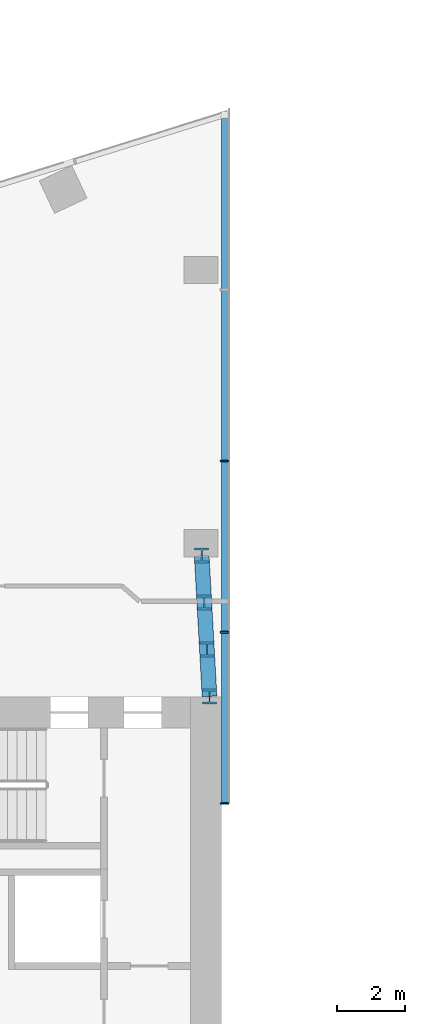
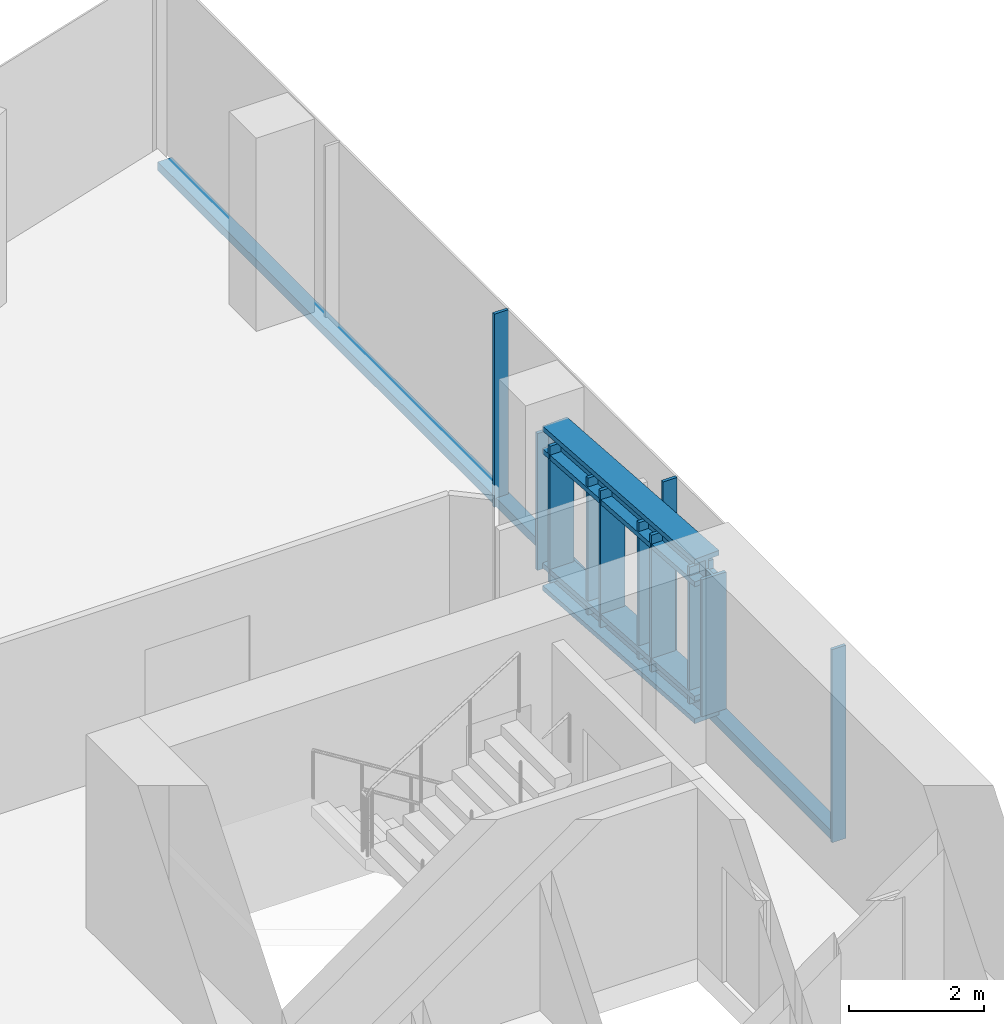
# One storey, part 6 of 23: 10 members, 1 element without a shape of its own.
"""IFC4 building model written with IfcOpenShell, lengths in metres."""

import ifcopenshell
import ifcopenshell.guid

model = None  # the IFC model being written
_history = None  # IfcOwnerHistory: only IFC2X3 demands one
_inside = {}  # id of a spatial element -> (the spatial element, [elements in it])
_under = {}  # id of a project, library or spatial element -> (it, [spatial elements below it])
_declared = {}  # id of a project -> (the project, [libraries it declares])
_typed = {}  # id of a type object -> (the type object, [elements of that type])
_made_of = {}  # id of a material, layer set ... -> (it, [elements and type objects made of it])


def new_model(schema):
    """Start an empty IFC model of exactly this schema.

    Asked for "IFC4X3", IfcOpenShell would pick the latest addendum, in which some entities
    have other attributes; the version numbers below select the first issue.
    IFC2X3 requires an IfcOwnerHistory on every rooted entity: one is made here for all.
    """
    global model, _history
    if schema == "IFC4X3":
        model = ifcopenshell.file(schema_version=(4, 3, 0, 0))
    else:
        model = ifcopenshell.file(schema=schema)
    _inside.clear()
    _under.clear()
    _declared.clear()
    _typed.clear()
    _made_of.clear()
    _history = None
    if model.schema == "IFC2X3":
        org = make("IfcOrganization", Name="unknown")
        user = make(
            "IfcPersonAndOrganization",
            ThePerson=make("IfcPerson", FamilyName="unknown"),
            TheOrganization=org,
        )
        app = make(
            "IfcApplication",
            ApplicationDeveloper=org,
            Version="unknown",
            ApplicationFullName="unknown",
            ApplicationIdentifier="unknown",
        )
        _history = make(
            "IfcOwnerHistory",
            OwningUser=user,
            OwningApplication=app,
            ChangeAction="ADDED",
            CreationDate=0,
        )
    return model


def make(cls, **values):
    """One entity of the class cls with the attributes given. An attribute that is None is left unset."""
    return model.create_entity(
        cls, **{name: value for name, value in values.items() if value is not None}
    )


def rooted(cls, **values):
    """An entity with a GlobalId (a new one), such as an element, a storey or a relation."""
    return make(cls, GlobalId=ifcopenshell.guid.new(), OwnerHistory=_history, **values)


def si_unit(unit_type, name, prefix=None):
    """IfcSIUnit, for example si_unit("LENGTHUNIT", "METRE", prefix="MILLI")."""
    return make("IfcSIUnit", UnitType=unit_type, Prefix=prefix, Name=name)


def assignment(units):
    """IfcUnitAssignment: the units of a project."""
    return None if units is None else make("IfcUnitAssignment", Units=units)


def point(xyz):
    """IfcCartesianPoint."""
    return None if xyz is None else make("IfcCartesianPoint", Coordinates=xyz)


def direction(xyz):
    """IfcDirection."""
    return None if xyz is None else make("IfcDirection", DirectionRatios=xyz)


def frame(location, z_axis=None, x_axis=None):
    """IfcAxis2Placement3D, a coordinate frame: its origin and axes. An axis left out is left unset."""
    return make(
        "IfcAxis2Placement3D",
        Location=point(location),
        Axis=direction(z_axis),
        RefDirection=direction(x_axis),
    )


def frame_2d(location, x_axis=None):
    """IfcAxis2Placement2D, a coordinate frame in the plane: its origin and x axis."""
    return make(
        "IfcAxis2Placement2D", Location=point(location), RefDirection=direction(x_axis)
    )


def origin():
    """The frame at (0, 0, 0) with its axes left unset."""
    return frame((0.0, 0.0, 0.0))


def origin_2d():
    """The frame at (0, 0) in the plane with its x axis left unset."""
    return frame_2d((0.0, 0.0))


def place(relative_to, where):
    """IfcLocalPlacement: puts the frame where relative to a parent placement (None: the world)."""
    return make(
        "IfcLocalPlacement", PlacementRelTo=relative_to, RelativePlacement=where
    )


def context(
    kind, dimensions, precision=None, world=None, true_north=None, identifier=None
):
    """IfcGeometricRepresentationContext, for example the 3D "Model" context."""
    return make(
        "IfcGeometricRepresentationContext",
        ContextIdentifier=identifier,
        ContextType=kind,
        CoordinateSpaceDimension=dimensions,
        Precision=precision,
        WorldCoordinateSystem=world,
        TrueNorth=true_north,
    )


def subcontext(parent, identifier, kind, view, scale=None):
    """IfcGeometricRepresentationSubContext, for example "Body" below "Model"."""
    return make(
        "IfcGeometricRepresentationSubContext",
        ContextIdentifier=identifier,
        ContextType=kind,
        ParentContext=parent,
        TargetScale=scale,
        TargetView=view,
    )


def project(units=None, contexts=None):
    """IfcProject with its units and contexts."""
    return rooted(
        "IfcProject",
        Name="project",
        RepresentationContexts=contexts,
        UnitsInContext=assignment(units),
    )


def spatial(cls, under=None, at=None, **own):
    """A site, building, storey or space (cls), placed at a placement, below another one or the project."""
    s = rooted(cls, ObjectPlacement=at, **own)
    if under is not None:
        _under.setdefault(under.id(), (under, []))[1].append(s)
    return s


def profile(cls, at=None, kind="AREA", **sizes):
    """A parametric profile (cls). Its sizes go by their IFC names, for example OverallWidth=200.0."""
    return make(cls, ProfileType=kind, Position=at, **sizes)


def rectangle(**sizes):
    """IfcRectangleProfileDef."""
    return profile("IfcRectangleProfileDef", **sizes)


def i_section(**sizes):
    """IfcIShapeProfileDef."""
    return profile("IfcIShapeProfileDef", **sizes)


def extrude(swept, where, along, depth):
    """IfcExtrudedAreaSolid: the profile swept, set in the frame where, extruded along a direction by depth."""
    return make(
        "IfcExtrudedAreaSolid",
        SweptArea=swept,
        Position=where,
        ExtrudedDirection=direction(along),
        Depth=depth,
    )


def shape(context_of_items, identifier, shape_type, items):
    """IfcShapeRepresentation: the items that make up one representation, for example the "Body"."""
    return make(
        "IfcShapeRepresentation",
        ContextOfItems=context_of_items,
        RepresentationIdentifier=identifier,
        RepresentationType=shape_type,
        Items=items,
    )


def material(Name=None, Category=None):
    """IfcMaterial."""
    return make("IfcMaterial", Name=Name, Category=Category)


def material_profile(
    of_material, cross_section, Name=None, Category=None, Priority=None
):
    """IfcMaterialProfile: a cross section and its material."""
    return make(
        "IfcMaterialProfile",
        Name=Name,
        Material=of_material,
        Profile=cross_section,
        Priority=Priority,
        Category=Category,
    )


def profile_set(profiles, Name=None, composite=None):
    """IfcMaterialProfileSet."""
    return make(
        "IfcMaterialProfileSet",
        Name=Name,
        MaterialProfiles=profiles,
        CompositeProfile=composite,
    )


def made_of(thing, what):
    """Note that an element or type object is made of a material, layer set ...; save() writes the relation."""
    if what is not None:
        _made_of.setdefault(what.id(), (what, []))[1].append(thing)
    return thing


def type_object(cls, material=None, **own):
    """A type object (cls), such as IfcWallType, which elements share."""
    return made_of(rooted(cls, **own), material)


def element(
    cls,
    number,
    at=None,
    inside=None,
    cuts=None,
    type_object=None,
    material=None,
    context=None,
    identifier="Body",
    shape_type=None,
    held_by="IfcProductDefinitionShape",
    body=None,
    shapes=None,
    **own,
):
    """One element of the class cls, such as IfcWall. Its Tag is "e" and its number.

    at: its placement. inside: the storey or other place that contains it. cuts: it is an
    opening in that element (IfcRelVoidsElement). A single representation is given by context,
    identifier, shape_type and body (its items); several are given by shapes. held_by: the class
    of the entity that holds the representations. save() writes the other relations.
    """
    e = rooted(cls, Tag="e%d" % number, ObjectPlacement=at, **own)
    if body is not None:
        shapes = [shape(context, identifier, shape_type, body)]
    if shapes is not None:
        e.Representation = make(held_by, Representations=shapes)
    if inside is not None:
        _inside.setdefault(inside.id(), (inside, []))[1].append(e)
    if cuts is not None:
        rooted(
            "IfcRelVoidsElement", RelatingBuildingElement=cuts, RelatedOpeningElement=e
        )
    if type_object is not None:
        _typed.setdefault(type_object.id(), (type_object, []))[1].append(e)
    return made_of(e, material)


def aggregate(whole, parts):
    """IfcRelAggregates: a whole, such as a stair, and the parts it consists of."""
    return rooted("IfcRelAggregates", RelatingObject=whole, RelatedObjects=parts)


def save(model, path):
    """Write the relations noted so far, then the file.

    IfcRelAggregates (storeys below a building ...), IfcRelContainedInSpatialStructure (elements
    in a storey), IfcRelDefinesByType, IfcRelAssociatesMaterial and IfcRelDeclares: one each for
    every whole, place, type object, material and project.
    """
    for whole, parts in _under.values():
        aggregate(whole, parts)
    for where, things in _inside.values():
        rooted(
            "IfcRelContainedInSpatialStructure",
            RelatedElements=things,
            RelatingStructure=where,
        )
    for kind, things in _typed.values():
        rooted("IfcRelDefinesByType", RelatedObjects=things, RelatingType=kind)
    for what, things in _made_of.values():
        rooted("IfcRelAssociatesMaterial", RelatedObjects=things, RelatingMaterial=what)
    for by, libraries in _declared.values():
        rooted("IfcRelDeclares", RelatingContext=by, RelatedDefinitions=libraries)
    model.write(path)


model = new_model("IFC4")

# Units and contexts
model_context = context("Model", 3, precision=1e-05, world=origin(), true_north=direction((0.0, 1.0)))
body_context = subcontext(model_context, "Body", "Model", "MODEL_VIEW")
ifc_project = project(units=[si_unit("LENGTHUNIT", "METRE"), si_unit("AREAUNIT", "SQUARE_METRE"), si_unit("VOLUMEUNIT", "CUBIC_METRE"), si_unit("PLANEANGLEUNIT", "RADIAN"), si_unit("MASSUNIT", "GRAM", prefix="KILO")], contexts=[model_context])

# Site, building, storey
site_placement = place(None, origin())
site = spatial("IfcSite", under=ifc_project, at=site_placement, CompositionType="ELEMENT")
building_placement = place(site_placement, origin())
building = spatial("IfcBuilding", under=site, at=building_placement, Name="Orlundy Tower", CompositionType="ELEMENT")
storey_placement = place(building_placement, frame((0.0, 0.0, 264.0)))
storey = spatial("IfcBuildingStorey", under=building, at=storey_placement, Name="L70", CompositionType="ELEMENT", Elevation=264.0)

# Curtain wall, members
ifc_material_1 = material(Name="Aluminium bronze anodised", Category="aluminium")
curtain_wall_type = type_object("IfcCurtainWallType", Name="CW1 wall", PredefinedType="NOTDEFINED", material=ifc_material_1)
curtain_wall_placement = place(storey_placement, origin())
curtain_wall = element("IfcCurtainWall", 1, at=curtain_wall_placement, inside=storey, type_object=curtain_wall_type, Name="CW1 run 04", PredefinedType="NOTDEFINED")
ifc_material_2 = material(Name="Aluminium bronze anodised", Category="aluminium")
ifc_material_profile_1 = material_profile(ifc_material_2, rectangle(XDim=0.239990234375, YDim=0.050048828125, at=origin_2d()), Name="CW6 mullion 50x240")
ifc_profile_set_1 = profile_set([ifc_material_profile_1], Name="Aluminium bronze anodised")
member_type_1 = type_object("IfcMemberType", Name="CW6 mullion 50x240", PredefinedType="MULLION", material=ifc_profile_set_1)
member_1_placement = place(storey_placement, frame((-7.909912109375, 18.908203125, -0.39990234375), z_axis=(0.0, 0.0, 1.0), x_axis=(1.0, 0.0, 0.0)))
member_1 = element("IfcMember", 2, at=member_1_placement, type_object=member_type_1, Name="CW6 mullion 18", PredefinedType="MULLION", context=body_context, shape_type="SweptSolid", body=[
    extrude(rectangle(XDim=0.239990234375, YDim=0.050048828125, at=origin_2d()), origin(), (0.0, 0.0, 1.0), 3.5),
])
member_2_placement = place(storey_placement, frame((-7.909912109375, 13.897216796875, -0.39990234375), z_axis=(0.0, 0.0, 1.0), x_axis=(1.0, 0.0, 0.0)))
member_2 = element("IfcMember", 3, at=member_2_placement, type_object=member_type_1, Name="CW6 mullion 19", PredefinedType="MULLION", context=body_context, shape_type="SweptSolid", body=[
    extrude(rectangle(XDim=0.239990234375, YDim=0.050048828125, at=origin_2d()), origin(), (0.0, 0.0, 1.0), 3.5),
])
member_3_placement = place(storey_placement, frame((-7.909912109375, 8.88623046875, -0.39990234375), z_axis=(0.0, 0.0, 1.0), x_axis=(1.0, 0.0, 0.0)))
member_3 = element("IfcMember", 4, at=member_3_placement, type_object=member_type_1, Name="CW6 mullion 20", PredefinedType="MULLION", context=body_context, shape_type="SweptSolid", body=[
    extrude(rectangle(XDim=0.239990234375, YDim=0.050048828125, at=origin_2d()), origin(), (0.0, 0.0, 1.0), 3.5),
])
ifc_material_3 = material(Name="Aluminium bronze anodised", Category="aluminium")
ifc_material_profile_2 = material_profile(ifc_material_3, rectangle(XDim=0.239990234375, YDim=0.159912109375, at=origin_2d()), Name="CW6 transom 240x160")
ifc_profile_set_2 = profile_set([ifc_material_profile_2], Name="Aluminium bronze anodised")
member_type_2 = type_object("IfcMemberType", Name="CW6 transom 240x160", PredefinedType="USERDEFINED", material=ifc_profile_set_2)
member_4_placement = place(storey_placement, frame((-7.8798828125, 28.929931640625, -0.320068359375), z_axis=(0.0, -1.0, 0.0), x_axis=(1.0, 0.0, 0.0)))
member_4 = element("IfcMember", 5, at=member_4_placement, type_object=member_type_2, Name="CW6 transom", ObjectType="TRANSOM", PredefinedType="USERDEFINED", context=body_context, shape_type="SweptSolid", body=[
    extrude(rectangle(XDim=0.239990234375, YDim=0.159912109375, at=origin_2d()), origin(), (0.0, 0.0, 1.0), 20.0185546875),
])
aggregate(curtain_wall, [member_1, member_2, member_3, member_4])

# Members
ifc_material_4 = material(Name="Steel ASTM A992 Gr 50", Category="steel")
ifc_material_profile_3 = material_profile(ifc_material_4, i_section(OverallWidth=0.43212890625, OverallDepth=0.497802734375, WebThickness=0.0556640625, FlangeThickness=0.0888671875, at=origin_2d()), Name="W14X500")
ifc_profile_set_3 = profile_set([ifc_material_profile_3], Name="Steel ASTM A992 Gr 50")
member_type_3 = type_object("IfcMemberType", Name="PORTAL EDGE TRUSS chord W14X500", PredefinedType="CHORD", material=ifc_profile_set_3)
for number, where, z_axis, x_axis, name in (
    (6, (-8.35009765625, 12.02001953125, 0.28466796875), (-0.05566660133, 0.998449412588, 0.0), (-0.998449412588, -0.05566660133, 0.0), "Portal edge truss bottom chord PE-WN"),
    (7, (-8.35009765625, 12.02001953125, 2.765380859375), (-0.05566660133, 0.998449412588, 0.0), (-0.998449412588, -0.05566660133, 0.0), "Portal edge truss top chord PE-WN"),
):
    element("IfcMember", number, at=place(storey_placement, frame(where, z_axis=z_axis, x_axis=x_axis)), inside=storey, type_object=member_type_3, Name=name, PredefinedType="CHORD", context=body_context, shape_type="SweptSolid", body=[
        extrude(i_section(OverallWidth=0.43212890625, OverallDepth=0.497802734375, WebThickness=0.0556640625, FlangeThickness=0.0888671875, at=origin_2d()), origin(), (0.0, 0.0, 1.0), 4.126953125),
    ])
ifc_material_5 = material(Name="Steel ASTM A992 Gr 50", Category="steel")
ifc_material_profile_4 = material_profile(ifc_material_5, i_section(OverallWidth=0.412109375, OverallDepth=0.434814453125, WebThickness=0.035888671875, FlangeThickness=0.057373046875, at=origin_2d()), Name="W14X311")
ifc_profile_set_4 = profile_set([ifc_material_profile_4], Name="Steel ASTM A992 Gr 50")
member_type_4 = type_object("IfcMemberType", Name="PORTAL EDGE TRUSS post W14X311", PredefinedType="POST", material=ifc_profile_set_4)
for number, where, z_axis, x_axis, name in (
    (8, (-8.35009765625, 12.02001953125, 0.28466796875), (0.0, 0.0, 1.0), (1.0, 0.0, 0.0), "Portal edge truss post PE-WN-0"),
    (9, (-8.426513671875, 13.3935546875, 0.28466796875), (0.0, 0.0, 1.0), (1.0, 0.0, 0.0), "Portal edge truss post PE-WN-1"),
    (10, (-8.50341796875, 14.76708984375, 0.28466796875), (0.0, 0.0, 1.0), (1.0, 0.0, 0.0), "Portal edge truss post PE-WN-2"),
    (11, (-8.579833984375, 16.140625, 0.28466796875), (0.0, 0.0, 1.0), (1.0, 0.0, 0.0), "Portal edge truss post PE-WN-3"),
):
    element("IfcMember", number, at=place(storey_placement, frame(where, z_axis=z_axis, x_axis=x_axis)), inside=storey, type_object=member_type_4, Name=name, PredefinedType="POST", context=body_context, shape_type="SweptSolid", body=[
        extrude(i_section(OverallWidth=0.412109375, OverallDepth=0.434814453125, WebThickness=0.035888671875, FlangeThickness=0.057373046875, at=origin_2d()), origin(), (0.0, 0.0, 1.0), 2.480712890625),
    ])

save(model, "model.ifc")
